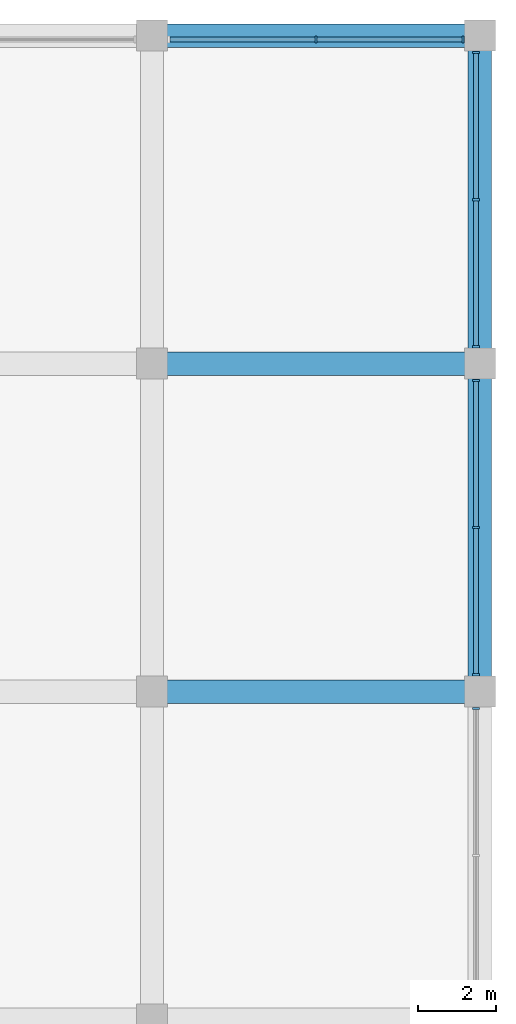
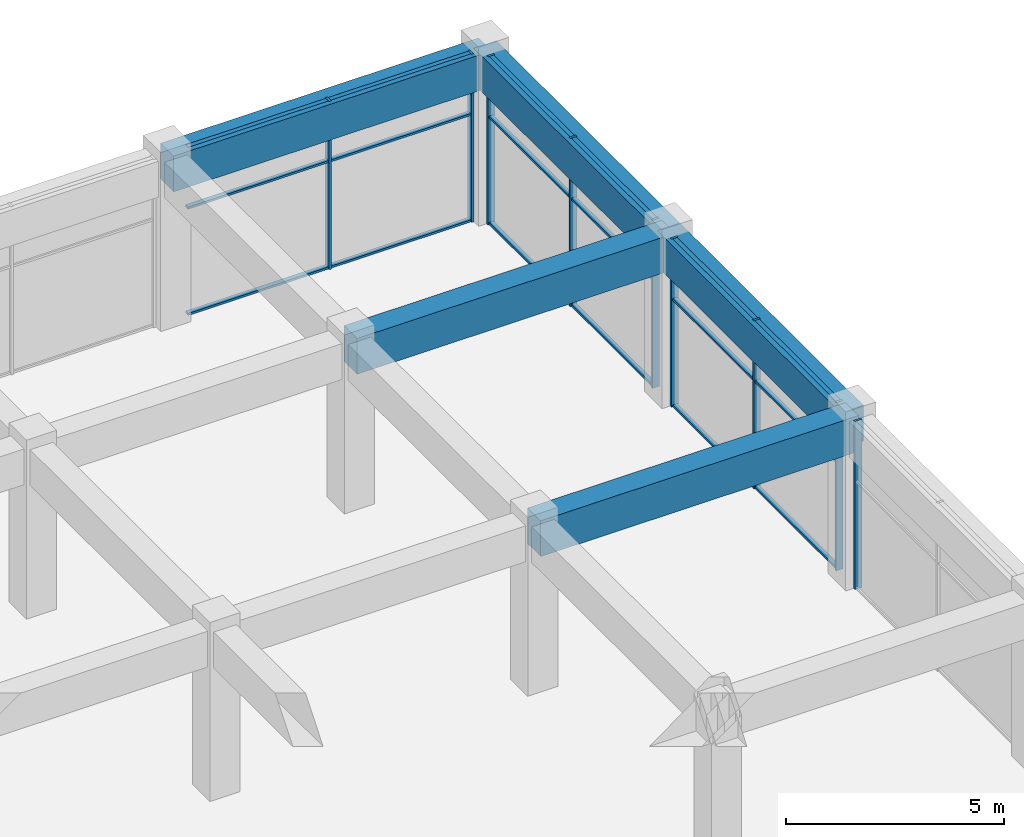
# One storey, part 22 of 34: 27 members, 5 beams, 4 elements without a shape of their own.
"""IFC4 building model written with IfcOpenShell, lengths in metres."""

from ifc_helpers import new_model, si_unit, direction, frame, origin, origin_2d, place, context, subcontext, project, spatial, rectangle, extrude, material, material_profile, profile_set, type_object, element, aggregate, save


model = new_model("IFC4")

# Units and contexts
model_context = context("Model", 3, precision=1e-05, world=origin(), true_north=direction((0.0, 1.0)))
body_context = subcontext(model_context, "Body", "Model", "MODEL_VIEW")
ifc_project = project(units=[si_unit("LENGTHUNIT", "METRE"), si_unit("AREAUNIT", "SQUARE_METRE"), si_unit("VOLUMEUNIT", "CUBIC_METRE"), si_unit("PLANEANGLEUNIT", "RADIAN"), si_unit("MASSUNIT", "GRAM", prefix="KILO")], contexts=[model_context])

# Site, building, storey
site_placement = place(None, origin())
site = spatial("IfcSite", under=ifc_project, at=site_placement, CompositionType="ELEMENT")
building_placement = place(site_placement, origin())
building = spatial("IfcBuilding", under=site, at=building_placement, Name="Impinga Residences", CompositionType="ELEMENT")
storey_placement = place(building_placement, frame((0.0, 0.0, 16.0)))
storey = spatial("IfcBuildingStorey", under=building, at=storey_placement, Name="L03", CompositionType="ELEMENT", Elevation=16.0)

# Curtain wall, members
ifc_material_1 = material(Name="Aluminium stick curtain wall", Category="aluminium")
curtain_wall_type = type_object("IfcCurtainWallType", Name="CW1 podium amenity curtain wall", PredefinedType="USERDEFINED", material=ifc_material_1)
curtain_wall_1_placement = place(storey_placement, origin())
curtain_wall_1 = element("IfcCurtainWall", 1, at=curtain_wall_1_placement, inside=storey, type_object=curtain_wall_type, Name="Curtain wall CW1 L03", ObjectType="STICK CURTAIN WALL", PredefinedType="USERDEFINED")
ifc_material_2 = material(Name="Aluminium mullion", Category="aluminium")
ifc_material_profile_1 = material_profile(ifc_material_2, rectangle(XDim=0.06005859375, YDim=0.179931640625, at=origin_2d()), Name="60x180 mullion")
ifc_profile_set_1 = profile_set([ifc_material_profile_1], Name="Aluminium mullion")
member_type_1 = type_object("IfcMemberType", Name="CW1-M mullion 60x180", PredefinedType="MULLION", material=ifc_profile_set_1)
member_1_placement = place(storey_placement, frame((46.199951171875, 50.300048828125, 0.0), z_axis=(0.0, 0.0, 1.0), x_axis=(1.0, 0.0, 0.0)))
member_1 = element("IfcMember", 2, at=member_1_placement, type_object=member_type_1, Name="CW1 mullion 2", PredefinedType="MULLION", context=body_context, shape_type="SweptSolid", body=[
    extrude(rectangle(XDim=0.06005859375, YDim=0.179931640625, at=origin_2d()), origin(), (0.0, 0.0, 1.0), 4.699951171875),
])
member_2_placement = place(storey_placement, frame((49.967041015625, 50.300048828125, 0.0), z_axis=(0.0, 0.0, 1.0), x_axis=(1.0, 0.0, 0.0)))
member_2 = element("IfcMember", 3, at=member_2_placement, type_object=member_type_1, Name="CW1 mullion 3", PredefinedType="MULLION", context=body_context, shape_type="SweptSolid", body=[
    extrude(rectangle(XDim=0.06005859375, YDim=0.179931640625, at=origin_2d()), origin(), (0.0, 0.0, 1.0), 4.699951171875),
])

curtain_wall_2_placement = place(storey_placement, origin())
curtain_wall_2 = element("IfcCurtainWall", 4, at=curtain_wall_2_placement, inside=storey, type_object=curtain_wall_type, Name="Curtain wall CW1 L03", ObjectType="STICK CURTAIN WALL", PredefinedType="USERDEFINED")
member_3_placement = place(storey_placement, frame((50.300048828125, 49.967041015625, 0.0), z_axis=(0.0, 0.0, 1.0), x_axis=(0.0, -1.0, 0.0)))
member_3 = element("IfcMember", 5, at=member_3_placement, type_object=member_type_1, Name="CW1 mullion 1", PredefinedType="MULLION", context=body_context, shape_type="SweptSolid", body=[
    extrude(rectangle(XDim=0.06005859375, YDim=0.179931640625, at=origin_2d()), origin(), (0.0, 0.0, 1.0), 4.699951171875),
])
member_4_placement = place(storey_placement, frame((50.300048828125, 46.199951171875, 0.0), z_axis=(0.0, 0.0, 1.0), x_axis=(0.0, -1.0, 0.0)))
member_4 = element("IfcMember", 6, at=member_4_placement, type_object=member_type_1, Name="CW1 mullion 2", PredefinedType="MULLION", context=body_context, shape_type="SweptSolid", body=[
    extrude(rectangle(XDim=0.06005859375, YDim=0.179931640625, at=origin_2d()), origin(), (0.0, 0.0, 1.0), 4.699951171875),
])
member_5_placement = place(storey_placement, frame((50.300048828125, 42.43310546875, 0.0), z_axis=(0.0, 0.0, 1.0), x_axis=(0.0, -1.0, 0.0)))
member_5 = element("IfcMember", 7, at=member_5_placement, type_object=member_type_1, Name="CW1 mullion 3", PredefinedType="MULLION", context=body_context, shape_type="SweptSolid", body=[
    extrude(rectangle(XDim=0.06005859375, YDim=0.179931640625, at=origin_2d()), origin(), (0.0, 0.0, 1.0), 4.699951171875),
])

curtain_wall_3_placement = place(storey_placement, origin())
curtain_wall_3 = element("IfcCurtainWall", 8, at=curtain_wall_3_placement, inside=storey, type_object=curtain_wall_type, Name="Curtain wall CW1 L03", ObjectType="STICK CURTAIN WALL", PredefinedType="USERDEFINED")
member_6_placement = place(storey_placement, frame((50.300048828125, 41.56689453125, 0.0), z_axis=(0.0, 0.0, 1.0), x_axis=(0.0, -1.0, 0.0)))
member_6 = element("IfcMember", 9, at=member_6_placement, type_object=member_type_1, Name="CW1 mullion 1", PredefinedType="MULLION", context=body_context, shape_type="SweptSolid", body=[
    extrude(rectangle(XDim=0.06005859375, YDim=0.179931640625, at=origin_2d()), origin(), (0.0, 0.0, 1.0), 4.699951171875),
])
member_7_placement = place(storey_placement, frame((50.300048828125, 37.800048828125, 0.0), z_axis=(0.0, 0.0, 1.0), x_axis=(0.0, -1.0, 0.0)))
member_7 = element("IfcMember", 10, at=member_7_placement, type_object=member_type_1, Name="CW1 mullion 2", PredefinedType="MULLION", context=body_context, shape_type="SweptSolid", body=[
    extrude(rectangle(XDim=0.06005859375, YDim=0.179931640625, at=origin_2d()), origin(), (0.0, 0.0, 1.0), 4.699951171875),
])
member_8_placement = place(storey_placement, frame((50.300048828125, 34.032958984375, 0.0), z_axis=(0.0, 0.0, 1.0), x_axis=(0.0, -1.0, 0.0)))
member_8 = element("IfcMember", 11, at=member_8_placement, type_object=member_type_1, Name="CW1 mullion 3", PredefinedType="MULLION", context=body_context, shape_type="SweptSolid", body=[
    extrude(rectangle(XDim=0.06005859375, YDim=0.179931640625, at=origin_2d()), origin(), (0.0, 0.0, 1.0), 4.699951171875),
])

# Curtain wall, member
curtain_wall_4_placement = place(storey_placement, origin())
curtain_wall_4 = element("IfcCurtainWall", 12, at=curtain_wall_4_placement, inside=storey, type_object=curtain_wall_type, Name="Curtain wall CW1 L03", ObjectType="STICK CURTAIN WALL", PredefinedType="USERDEFINED")
member_9_placement = place(storey_placement, frame((50.300048828125, 33.1669921875, 0.0), z_axis=(0.0, 0.0, 1.0), x_axis=(0.0, -1.0, 0.0)))
member_9 = element("IfcMember", 13, at=member_9_placement, type_object=member_type_1, Name="CW1 mullion 1", PredefinedType="MULLION", context=body_context, shape_type="SweptSolid", body=[
    extrude(rectangle(XDim=0.06005859375, YDim=0.179931640625, at=origin_2d()), origin(), (0.0, 0.0, 1.0), 4.699951171875),
])
aggregate(curtain_wall_4, [member_9])

# Member
ifc_material_3 = material(Name="Aluminium transom", Category="aluminium")
ifc_material_profile_2 = material_profile(ifc_material_3, rectangle(XDim=0.06005859375, YDim=0.1201171875, at=origin_2d()), Name="60x120 transom")
ifc_profile_set_2 = profile_set([ifc_material_profile_2], Name="Aluminium transom")
member_type_2 = type_object("IfcMemberType", Name="CW1-T transom 60x120", PredefinedType="USERDEFINED", material=ifc_profile_set_2)
member_10_placement = place(storey_placement, frame((42.462890625, 50.300048828125, 0.030029296875), z_axis=(1.0, 0.0, 0.0), x_axis=(0.0, 0.0, 1.0)))
member_10 = element("IfcMember", 14, at=member_10_placement, type_object=member_type_2, Name="CW1 transom 1.1", ObjectType="TRANSOM", PredefinedType="USERDEFINED", context=body_context, shape_type="SweptSolid", body=[
    extrude(rectangle(XDim=0.06005859375, YDim=0.1201171875, at=origin_2d()), origin(), (0.0, 0.0, 1.0), 3.70703125),
])

member_11_placement = place(storey_placement, frame((42.462890625, 50.300048828125, 3.0), z_axis=(1.0, 0.0, 0.0), x_axis=(0.0, 0.0, 1.0)))
member_11 = element("IfcMember", 15, at=member_11_placement, type_object=member_type_2, Name="CW1 transom 1.2", ObjectType="TRANSOM", PredefinedType="USERDEFINED", context=body_context, shape_type="SweptSolid", body=[
    extrude(rectangle(XDim=0.06005859375, YDim=0.1201171875, at=origin_2d()), origin(), (0.0, 0.0, 1.0), 3.70703125),
])

member_12_placement = place(storey_placement, frame((42.462890625, 50.300048828125, 4.669921875), z_axis=(1.0, 0.0, 0.0), x_axis=(0.0, 0.0, 1.0)))
member_12 = element("IfcMember", 16, at=member_12_placement, type_object=member_type_2, Name="CW1 transom 1.3", ObjectType="TRANSOM", PredefinedType="USERDEFINED", context=body_context, shape_type="SweptSolid", body=[
    extrude(rectangle(XDim=0.06005859375, YDim=0.1201171875, at=origin_2d()), origin(), (0.0, 0.0, 1.0), 3.70703125),
])

member_13_placement = place(storey_placement, frame((46.22998046875, 50.300048828125, 0.030029296875), z_axis=(1.0, 0.0, 0.0), x_axis=(0.0, 0.0, 1.0)))
member_13 = element("IfcMember", 17, at=member_13_placement, type_object=member_type_2, Name="CW1 transom 2.1", ObjectType="TRANSOM", PredefinedType="USERDEFINED", context=body_context, shape_type="SweptSolid", body=[
    extrude(rectangle(XDim=0.06005859375, YDim=0.1201171875, at=origin_2d()), origin(), (0.0, 0.0, 1.0), 3.70703125),
])

member_14_placement = place(storey_placement, frame((46.22998046875, 50.300048828125, 3.0), z_axis=(1.0, 0.0, 0.0), x_axis=(0.0, 0.0, 1.0)))
member_14 = element("IfcMember", 18, at=member_14_placement, type_object=member_type_2, Name="CW1 transom 2.2", ObjectType="TRANSOM", PredefinedType="USERDEFINED", context=body_context, shape_type="SweptSolid", body=[
    extrude(rectangle(XDim=0.06005859375, YDim=0.1201171875, at=origin_2d()), origin(), (0.0, 0.0, 1.0), 3.70703125),
])

member_15_placement = place(storey_placement, frame((46.22998046875, 50.300048828125, 4.669921875), z_axis=(1.0, 0.0, 0.0), x_axis=(0.0, 0.0, 1.0)))
member_15 = element("IfcMember", 19, at=member_15_placement, type_object=member_type_2, Name="CW1 transom 2.3", ObjectType="TRANSOM", PredefinedType="USERDEFINED", context=body_context, shape_type="SweptSolid", body=[
    extrude(rectangle(XDim=0.06005859375, YDim=0.1201171875, at=origin_2d()), origin(), (0.0, 0.0, 1.0), 3.70703125),
])

aggregate(curtain_wall_1, [member_1, member_2, member_10, member_11, member_12, member_13, member_14, member_15])

member_16_placement = place(storey_placement, frame((50.300048828125, 49.93701171875, 0.030029296875), z_axis=(0.0, -1.0, 0.0), x_axis=(0.0, 0.0, 1.0)))
member_16 = element("IfcMember", 20, at=member_16_placement, type_object=member_type_2, Name="CW1 transom 1.1", ObjectType="TRANSOM", PredefinedType="USERDEFINED", context=body_context, shape_type="SweptSolid", body=[
    extrude(rectangle(XDim=0.06005859375, YDim=0.1201171875, at=origin_2d()), origin(), (0.0, 0.0, 1.0), 3.70703125),
])

member_17_placement = place(storey_placement, frame((50.300048828125, 49.93701171875, 3.0), z_axis=(0.0, -1.0, 0.0), x_axis=(0.0, 0.0, 1.0)))
member_17 = element("IfcMember", 21, at=member_17_placement, type_object=member_type_2, Name="CW1 transom 1.2", ObjectType="TRANSOM", PredefinedType="USERDEFINED", context=body_context, shape_type="SweptSolid", body=[
    extrude(rectangle(XDim=0.06005859375, YDim=0.1201171875, at=origin_2d()), origin(), (0.0, 0.0, 1.0), 3.70703125),
])

member_18_placement = place(storey_placement, frame((50.300048828125, 49.93701171875, 4.669921875), z_axis=(0.0, -1.0, 0.0), x_axis=(0.0, 0.0, 1.0)))
member_18 = element("IfcMember", 22, at=member_18_placement, type_object=member_type_2, Name="CW1 transom 1.3", ObjectType="TRANSOM", PredefinedType="USERDEFINED", context=body_context, shape_type="SweptSolid", body=[
    extrude(rectangle(XDim=0.06005859375, YDim=0.1201171875, at=origin_2d()), origin(), (0.0, 0.0, 1.0), 3.70703125),
])

member_19_placement = place(storey_placement, frame((50.300048828125, 46.169921875, 0.030029296875), z_axis=(0.0, -1.0, 0.0), x_axis=(0.0, 0.0, 1.0)))
member_19 = element("IfcMember", 23, at=member_19_placement, type_object=member_type_2, Name="CW1 transom 2.1", ObjectType="TRANSOM", PredefinedType="USERDEFINED", context=body_context, shape_type="SweptSolid", body=[
    extrude(rectangle(XDim=0.06005859375, YDim=0.1201171875, at=origin_2d()), origin(), (0.0, 0.0, 1.0), 3.70703125),
])

member_20_placement = place(storey_placement, frame((50.300048828125, 46.169921875, 3.0), z_axis=(0.0, -1.0, 0.0), x_axis=(0.0, 0.0, 1.0)))
member_20 = element("IfcMember", 24, at=member_20_placement, type_object=member_type_2, Name="CW1 transom 2.2", ObjectType="TRANSOM", PredefinedType="USERDEFINED", context=body_context, shape_type="SweptSolid", body=[
    extrude(rectangle(XDim=0.06005859375, YDim=0.1201171875, at=origin_2d()), origin(), (0.0, 0.0, 1.0), 3.70703125),
])

member_21_placement = place(storey_placement, frame((50.300048828125, 46.169921875, 4.669921875), z_axis=(0.0, -1.0, 0.0), x_axis=(0.0, 0.0, 1.0)))
member_21 = element("IfcMember", 25, at=member_21_placement, type_object=member_type_2, Name="CW1 transom 2.3", ObjectType="TRANSOM", PredefinedType="USERDEFINED", context=body_context, shape_type="SweptSolid", body=[
    extrude(rectangle(XDim=0.06005859375, YDim=0.1201171875, at=origin_2d()), origin(), (0.0, 0.0, 1.0), 3.70703125),
])

aggregate(curtain_wall_2, [member_3, member_4, member_5, member_16, member_17, member_18, member_19, member_20, member_21])

member_22_placement = place(storey_placement, frame((50.300048828125, 41.537109375, 0.030029296875), z_axis=(0.0, -1.0, 0.0), x_axis=(0.0, 0.0, 1.0)))
member_22 = element("IfcMember", 26, at=member_22_placement, type_object=member_type_2, Name="CW1 transom 1.1", ObjectType="TRANSOM", PredefinedType="USERDEFINED", context=body_context, shape_type="SweptSolid", body=[
    extrude(rectangle(XDim=0.06005859375, YDim=0.1201171875, at=origin_2d()), origin(), (0.0, 0.0, 1.0), 3.70703125),
])

member_23_placement = place(storey_placement, frame((50.300048828125, 41.537109375, 3.0), z_axis=(0.0, -1.0, 0.0), x_axis=(0.0, 0.0, 1.0)))
member_23 = element("IfcMember", 27, at=member_23_placement, type_object=member_type_2, Name="CW1 transom 1.2", ObjectType="TRANSOM", PredefinedType="USERDEFINED", context=body_context, shape_type="SweptSolid", body=[
    extrude(rectangle(XDim=0.06005859375, YDim=0.1201171875, at=origin_2d()), origin(), (0.0, 0.0, 1.0), 3.70703125),
])

member_24_placement = place(storey_placement, frame((50.300048828125, 41.537109375, 4.669921875), z_axis=(0.0, -1.0, 0.0), x_axis=(0.0, 0.0, 1.0)))
member_24 = element("IfcMember", 28, at=member_24_placement, type_object=member_type_2, Name="CW1 transom 1.3", ObjectType="TRANSOM", PredefinedType="USERDEFINED", context=body_context, shape_type="SweptSolid", body=[
    extrude(rectangle(XDim=0.06005859375, YDim=0.1201171875, at=origin_2d()), origin(), (0.0, 0.0, 1.0), 3.70703125),
])

member_25_placement = place(storey_placement, frame((50.300048828125, 37.77001953125, 0.030029296875), z_axis=(0.0, -1.0, 0.0), x_axis=(0.0, 0.0, 1.0)))
member_25 = element("IfcMember", 29, at=member_25_placement, type_object=member_type_2, Name="CW1 transom 2.1", ObjectType="TRANSOM", PredefinedType="USERDEFINED", context=body_context, shape_type="SweptSolid", body=[
    extrude(rectangle(XDim=0.06005859375, YDim=0.1201171875, at=origin_2d()), origin(), (0.0, 0.0, 1.0), 3.70703125),
])

member_26_placement = place(storey_placement, frame((50.300048828125, 37.77001953125, 3.0), z_axis=(0.0, -1.0, 0.0), x_axis=(0.0, 0.0, 1.0)))
member_26 = element("IfcMember", 30, at=member_26_placement, type_object=member_type_2, Name="CW1 transom 2.2", ObjectType="TRANSOM", PredefinedType="USERDEFINED", context=body_context, shape_type="SweptSolid", body=[
    extrude(rectangle(XDim=0.06005859375, YDim=0.1201171875, at=origin_2d()), origin(), (0.0, 0.0, 1.0), 3.70703125),
])

member_27_placement = place(storey_placement, frame((50.300048828125, 37.77001953125, 4.669921875), z_axis=(0.0, -1.0, 0.0), x_axis=(0.0, 0.0, 1.0)))
member_27 = element("IfcMember", 31, at=member_27_placement, type_object=member_type_2, Name="CW1 transom 2.3", ObjectType="TRANSOM", PredefinedType="USERDEFINED", context=body_context, shape_type="SweptSolid", body=[
    extrude(rectangle(XDim=0.06005859375, YDim=0.1201171875, at=origin_2d()), origin(), (0.0, 0.0, 1.0), 3.70703125),
])

aggregate(curtain_wall_3, [member_6, member_7, member_8, member_22, member_23, member_24, member_25, member_26, member_27])

# Beams
ifc_material_4 = material(Name="Concrete C60/75", Category="concrete")
ifc_material_profile_3 = material_profile(ifc_material_4, rectangle(XDim=0.60009765625, YDim=1.0, at=origin_2d()), Name="RC 600x1000")
ifc_profile_set_3 = profile_set([ifc_material_profile_3], Name="Concrete C60/75")
beam_type = type_object("IfcBeamType", Name="PB2 600x1000 podium beam", PredefinedType="BEAM", material=ifc_profile_set_3)
for number, where, z_axis, x_axis, name in (
    (32, (42.0, 33.60009765625, 4.199951171875), (1.0, 0.0, 0.0), (0.0, 1.0, 0.0), "Beam PB2 K/12-13 level L04"),
    (33, (42.0, 42.0, 4.199951171875), (1.0, 0.0, 0.0), (0.0, 1.0, 0.0), "Beam PB2 L/12-13 level L04"),
    (34, (42.0, 50.39990234375, 4.199951171875), (1.0, 0.0, 0.0), (0.0, 1.0, 0.0), "Beam PB2 M/12-13 level L04"),
    (35, (50.39990234375, 33.60009765625, 4.199951171875), (0.0, 1.0, 0.0), (-1.0, 0.0, 0.0), "Beam PB2 13/K-L level L04"),
    (36, (50.39990234375, 42.0, 4.199951171875), (0.0, 1.0, 0.0), (-1.0, 0.0, 0.0), "Beam PB2 13/L-M level L04"),
):
    element("IfcBeam", number, at=place(storey_placement, frame(where, z_axis=z_axis, x_axis=x_axis)), inside=storey, type_object=beam_type, Name=name, PredefinedType="BEAM", context=body_context, shape_type="SweptSolid", body=[
        extrude(rectangle(XDim=0.60009765625, YDim=1.0, at=origin_2d()), origin(), (0.0, 0.0, 1.0), 8.39990234375),
    ])

save(model, "model.ifc")
